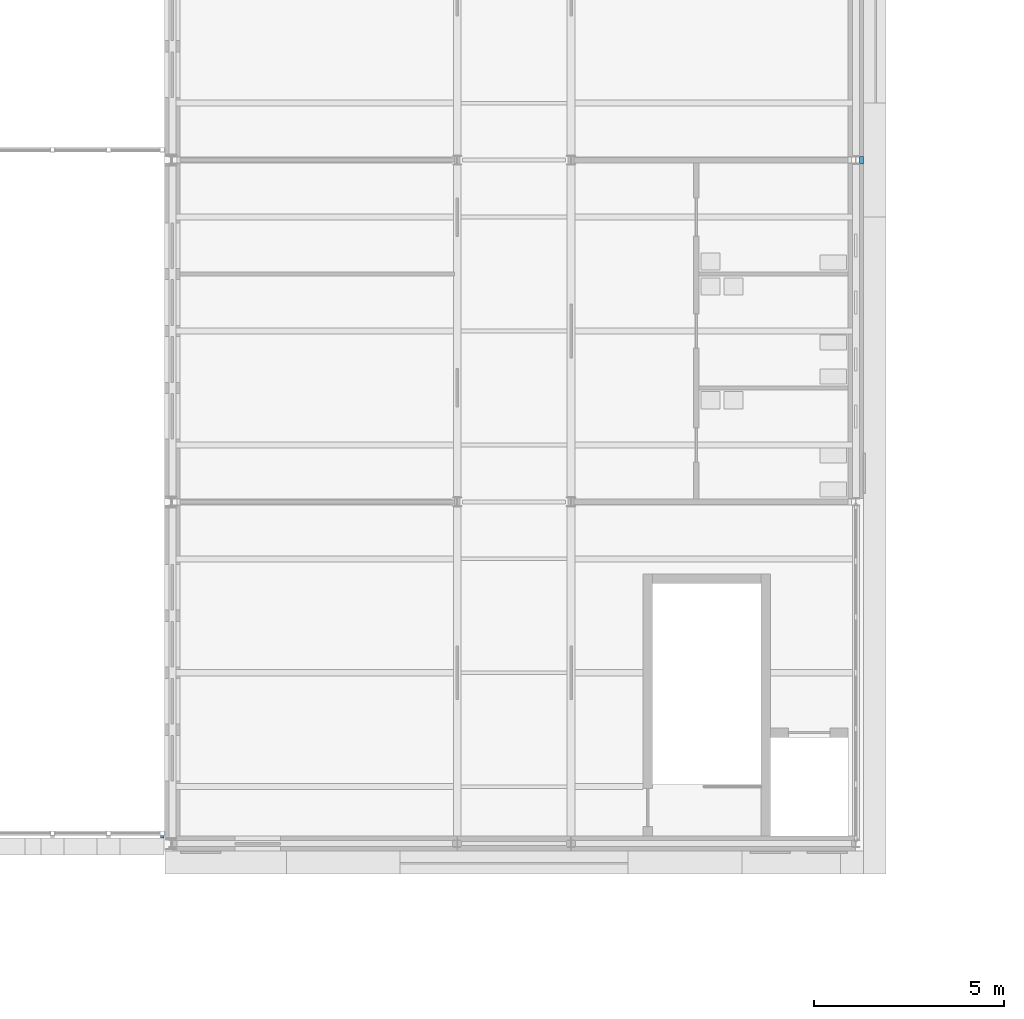
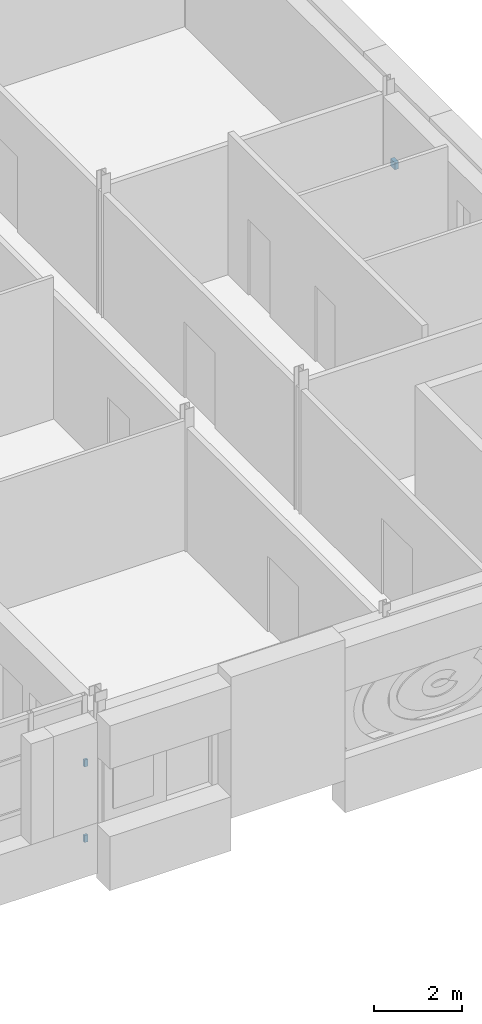
# One storey, part 124 of 154: 3 discrete accessories.
"""IFC4 building model written with IfcOpenShell, lengths in metres."""

from ifc_helpers import new_model, si_unit, direction, frame, origin, origin_2d, place, context, subcontext, project, spatial, rectangle, extrude, material, type_object, element, save


model = new_model("IFC4")

# Units and contexts
model_context = context("Model", 3, precision=1e-05, world=origin(), true_north=direction((0.0, 1.0)))
body_context = subcontext(model_context, "Body", "Model", "MODEL_VIEW")
ifc_project = project(units=[si_unit("LENGTHUNIT", "METRE"), si_unit("AREAUNIT", "SQUARE_METRE"), si_unit("VOLUMEUNIT", "CUBIC_METRE"), si_unit("PLANEANGLEUNIT", "RADIAN"), si_unit("MASSUNIT", "GRAM", prefix="KILO")], contexts=[model_context])

# Site, building, storey
site_placement = place(None, origin())
site = spatial("IfcSite", under=ifc_project, at=site_placement, CompositionType="ELEMENT")
building_placement = place(site_placement, origin())
building = spatial("IfcBuilding", under=site, at=building_placement, Name="Golden Quay Civic Hall", CompositionType="ELEMENT")
storey_placement = place(building_placement, frame((0.0, 0.0, 14.39990234375)))
storey = spatial("IfcBuildingStorey", under=building, at=storey_placement, Name="L03", CompositionType="ELEMENT", Elevation=14.39990234375)

# Discrete accessories
ifc_material_1 = material(Name="Steel S355", Category="steel")
discrete_accessory_type_1 = type_object("IfcDiscreteAccessoryType", Name="Hall screen bracket 100 x 200", PredefinedType="BRACKET", material=ifc_material_1)
for number, where, z_axis, x_axis, name in (
    (1, (98.735107421875, 0.179931640625, -0.10009765625), (0.0, 0.0, 1.0), (1.0, 0.0, 0.0), "Hall screen bracket 18"),
    (2, (98.735107421875, 0.179931640625, 2.0), (0.0, 0.0, 1.0), (1.0, 0.0, 0.0), "Hall screen bracket 18"),
):
    element("IfcDiscreteAccessory", number, at=place(storey_placement, frame(where, z_axis=z_axis, x_axis=x_axis)), inside=storey, type_object=discrete_accessory_type_1, Name=name, PredefinedType="BRACKET", context=body_context, shape_type="SweptSolid", body=[
        extrude(rectangle(XDim=0.090087890625, YDim=0.06005859375, at=origin_2d()), origin(), (0.0, 0.0, 1.0), 0.199951171875),
    ])
ifc_material_2 = material(Name="Steel S355", Category="steel")
discrete_accessory_type_2 = type_object("IfcDiscreteAccessoryType", Name="Pier fixing bracket 200 x 200", PredefinedType="BRACKET", material=ifc_material_2)
discrete_accessory_placement = place(storey_placement, frame((117.14990234375, 18.0, 1.39990234375), z_axis=(0.0, 0.0, 1.0), x_axis=(0.0, 1.0, 0.0)))
element("IfcDiscreteAccessory", 3, at=discrete_accessory_placement, inside=storey, type_object=discrete_accessory_type_2, Name="Pier fixing bracket 200 x 200 L03 18", PredefinedType="BRACKET", context=body_context, shape_type="SweptSolid", body=[
    extrude(rectangle(XDim=0.199951171875, YDim=0.10009765625, at=origin_2d()), origin(), (0.0, 0.0, 1.0), 0.199951171875),
])

save(model, "model.ifc")
